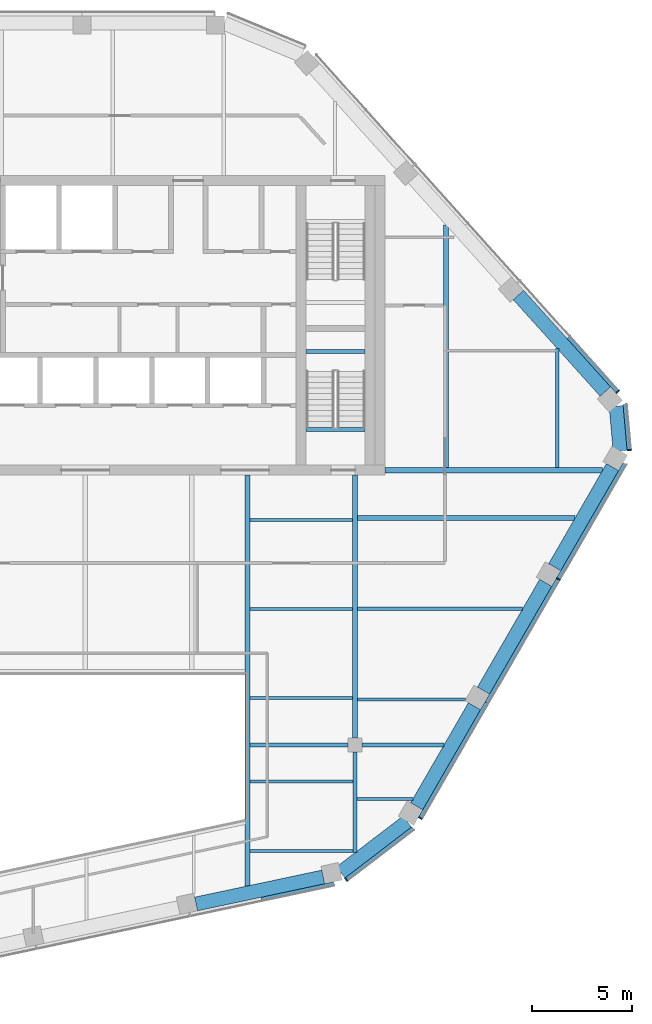
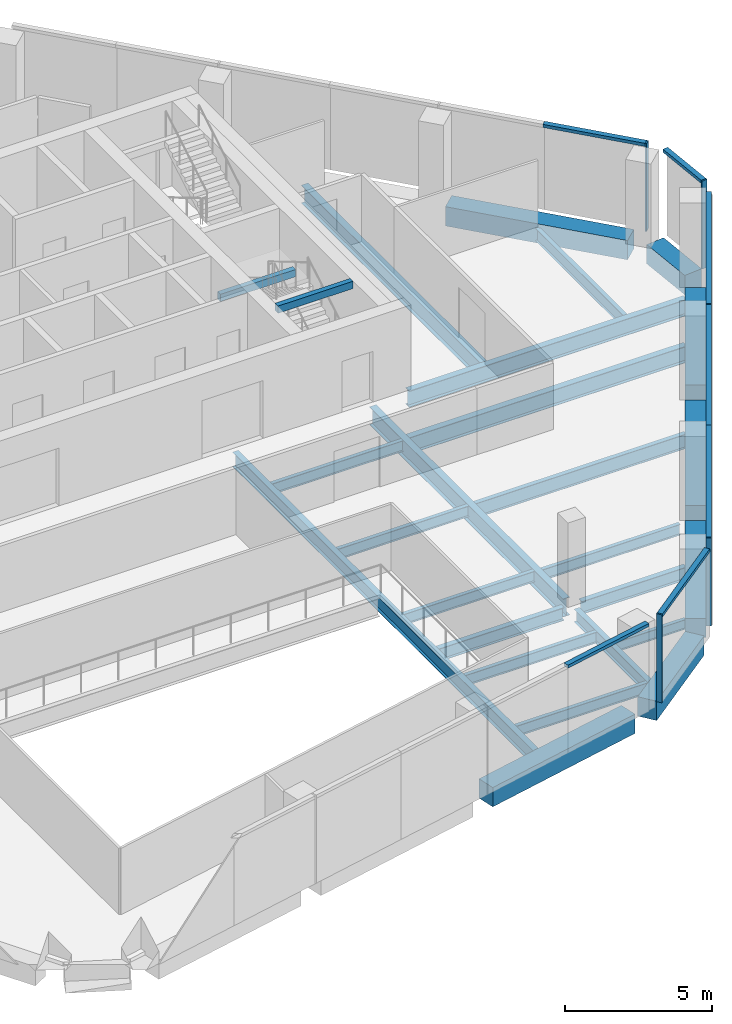
# One storey, part 4 of 15: 26 beams, 12 members, 5 elements without a shape of their own.
"""IFC4 building model written with IfcOpenShell, lengths in metres."""

import ifcopenshell
import ifcopenshell.guid

model = None  # the IFC model being written
_history = None  # IfcOwnerHistory: only IFC2X3 demands one
_inside = {}  # id of a spatial element -> (the spatial element, [elements in it])
_under = {}  # id of a project, library or spatial element -> (it, [spatial elements below it])
_declared = {}  # id of a project -> (the project, [libraries it declares])
_typed = {}  # id of a type object -> (the type object, [elements of that type])
_made_of = {}  # id of a material, layer set ... -> (it, [elements and type objects made of it])


def new_model(schema):
    """Start an empty IFC model of exactly this schema.

    Asked for "IFC4X3", IfcOpenShell would pick the latest addendum, in which some entities
    have other attributes; the version numbers below select the first issue.
    IFC2X3 requires an IfcOwnerHistory on every rooted entity: one is made here for all.
    """
    global model, _history
    if schema == "IFC4X3":
        model = ifcopenshell.file(schema_version=(4, 3, 0, 0))
    else:
        model = ifcopenshell.file(schema=schema)
    _inside.clear()
    _under.clear()
    _declared.clear()
    _typed.clear()
    _made_of.clear()
    _history = None
    if model.schema == "IFC2X3":
        org = make("IfcOrganization", Name="unknown")
        user = make(
            "IfcPersonAndOrganization",
            ThePerson=make("IfcPerson", FamilyName="unknown"),
            TheOrganization=org,
        )
        app = make(
            "IfcApplication",
            ApplicationDeveloper=org,
            Version="unknown",
            ApplicationFullName="unknown",
            ApplicationIdentifier="unknown",
        )
        _history = make(
            "IfcOwnerHistory",
            OwningUser=user,
            OwningApplication=app,
            ChangeAction="ADDED",
            CreationDate=0,
        )
    return model


def make(cls, **values):
    """One entity of the class cls with the attributes given. An attribute that is None is left unset."""
    return model.create_entity(
        cls, **{name: value for name, value in values.items() if value is not None}
    )


def rooted(cls, **values):
    """An entity with a GlobalId (a new one), such as an element, a storey or a relation."""
    return make(cls, GlobalId=ifcopenshell.guid.new(), OwnerHistory=_history, **values)


def si_unit(unit_type, name, prefix=None):
    """IfcSIUnit, for example si_unit("LENGTHUNIT", "METRE", prefix="MILLI")."""
    return make("IfcSIUnit", UnitType=unit_type, Prefix=prefix, Name=name)


def assignment(units):
    """IfcUnitAssignment: the units of a project."""
    return None if units is None else make("IfcUnitAssignment", Units=units)


def point(xyz):
    """IfcCartesianPoint."""
    return None if xyz is None else make("IfcCartesianPoint", Coordinates=xyz)


def direction(xyz):
    """IfcDirection."""
    return None if xyz is None else make("IfcDirection", DirectionRatios=xyz)


def frame(location, z_axis=None, x_axis=None):
    """IfcAxis2Placement3D, a coordinate frame: its origin and axes. An axis left out is left unset."""
    return make(
        "IfcAxis2Placement3D",
        Location=point(location),
        Axis=direction(z_axis),
        RefDirection=direction(x_axis),
    )


def frame_2d(location, x_axis=None):
    """IfcAxis2Placement2D, a coordinate frame in the plane: its origin and x axis."""
    return make(
        "IfcAxis2Placement2D", Location=point(location), RefDirection=direction(x_axis)
    )


def origin():
    """The frame at (0, 0, 0) with its axes left unset."""
    return frame((0.0, 0.0, 0.0))


def origin_2d():
    """The frame at (0, 0) in the plane with its x axis left unset."""
    return frame_2d((0.0, 0.0))


def place(relative_to, where):
    """IfcLocalPlacement: puts the frame where relative to a parent placement (None: the world)."""
    return make(
        "IfcLocalPlacement", PlacementRelTo=relative_to, RelativePlacement=where
    )


def context(
    kind, dimensions, precision=None, world=None, true_north=None, identifier=None
):
    """IfcGeometricRepresentationContext, for example the 3D "Model" context."""
    return make(
        "IfcGeometricRepresentationContext",
        ContextIdentifier=identifier,
        ContextType=kind,
        CoordinateSpaceDimension=dimensions,
        Precision=precision,
        WorldCoordinateSystem=world,
        TrueNorth=true_north,
    )


def subcontext(parent, identifier, kind, view, scale=None):
    """IfcGeometricRepresentationSubContext, for example "Body" below "Model"."""
    return make(
        "IfcGeometricRepresentationSubContext",
        ContextIdentifier=identifier,
        ContextType=kind,
        ParentContext=parent,
        TargetScale=scale,
        TargetView=view,
    )


def project(units=None, contexts=None):
    """IfcProject with its units and contexts."""
    return rooted(
        "IfcProject",
        Name="project",
        RepresentationContexts=contexts,
        UnitsInContext=assignment(units),
    )


def spatial(cls, under=None, at=None, **own):
    """A site, building, storey or space (cls), placed at a placement, below another one or the project."""
    s = rooted(cls, ObjectPlacement=at, **own)
    if under is not None:
        _under.setdefault(under.id(), (under, []))[1].append(s)
    return s


def profile(cls, at=None, kind="AREA", **sizes):
    """A parametric profile (cls). Its sizes go by their IFC names, for example OverallWidth=200.0."""
    return make(cls, ProfileType=kind, Position=at, **sizes)


def rectangle(**sizes):
    """IfcRectangleProfileDef."""
    return profile("IfcRectangleProfileDef", **sizes)


def i_section(**sizes):
    """IfcIShapeProfileDef."""
    return profile("IfcIShapeProfileDef", **sizes)


def extrude(swept, where, along, depth):
    """IfcExtrudedAreaSolid: the profile swept, set in the frame where, extruded along a direction by depth."""
    return make(
        "IfcExtrudedAreaSolid",
        SweptArea=swept,
        Position=where,
        ExtrudedDirection=direction(along),
        Depth=depth,
    )


def shape(context_of_items, identifier, shape_type, items):
    """IfcShapeRepresentation: the items that make up one representation, for example the "Body"."""
    return make(
        "IfcShapeRepresentation",
        ContextOfItems=context_of_items,
        RepresentationIdentifier=identifier,
        RepresentationType=shape_type,
        Items=items,
    )


def material(Name=None, Category=None):
    """IfcMaterial."""
    return make("IfcMaterial", Name=Name, Category=Category)


def layer(
    of_material, thickness, ventilated=None, Name=None, Category=None, Priority=None
):
    """IfcMaterialLayer: one layer of a wall or slab, of a material (None: an air gap)."""
    return make(
        "IfcMaterialLayer",
        Material=of_material,
        LayerThickness=thickness,
        IsVentilated=ventilated,
        Name=Name,
        Category=Category,
        Priority=Priority,
    )


def layer_set(layers, Name=None):
    """IfcMaterialLayerSet."""
    return make("IfcMaterialLayerSet", MaterialLayers=layers, LayerSetName=Name)


def material_profile(
    of_material, cross_section, Name=None, Category=None, Priority=None
):
    """IfcMaterialProfile: a cross section and its material."""
    return make(
        "IfcMaterialProfile",
        Name=Name,
        Material=of_material,
        Profile=cross_section,
        Priority=Priority,
        Category=Category,
    )


def profile_set(profiles, Name=None, composite=None):
    """IfcMaterialProfileSet."""
    return make(
        "IfcMaterialProfileSet",
        Name=Name,
        MaterialProfiles=profiles,
        CompositeProfile=composite,
    )


def made_of(thing, what):
    """Note that an element or type object is made of a material, layer set ...; save() writes the relation."""
    if what is not None:
        _made_of.setdefault(what.id(), (what, []))[1].append(thing)
    return thing


def type_object(cls, material=None, **own):
    """A type object (cls), such as IfcWallType, which elements share."""
    return made_of(rooted(cls, **own), material)


def element(
    cls,
    number,
    at=None,
    inside=None,
    cuts=None,
    type_object=None,
    material=None,
    context=None,
    identifier="Body",
    shape_type=None,
    held_by="IfcProductDefinitionShape",
    body=None,
    shapes=None,
    **own,
):
    """One element of the class cls, such as IfcWall. Its Tag is "e" and its number.

    at: its placement. inside: the storey or other place that contains it. cuts: it is an
    opening in that element (IfcRelVoidsElement). A single representation is given by context,
    identifier, shape_type and body (its items); several are given by shapes. held_by: the class
    of the entity that holds the representations. save() writes the other relations.
    """
    e = rooted(cls, Tag="e%d" % number, ObjectPlacement=at, **own)
    if body is not None:
        shapes = [shape(context, identifier, shape_type, body)]
    if shapes is not None:
        e.Representation = make(held_by, Representations=shapes)
    if inside is not None:
        _inside.setdefault(inside.id(), (inside, []))[1].append(e)
    if cuts is not None:
        rooted(
            "IfcRelVoidsElement", RelatingBuildingElement=cuts, RelatedOpeningElement=e
        )
    if type_object is not None:
        _typed.setdefault(type_object.id(), (type_object, []))[1].append(e)
    return made_of(e, material)


def aggregate(whole, parts):
    """IfcRelAggregates: a whole, such as a stair, and the parts it consists of."""
    return rooted("IfcRelAggregates", RelatingObject=whole, RelatedObjects=parts)


def save(model, path):
    """Write the relations noted so far, then the file.

    IfcRelAggregates (storeys below a building ...), IfcRelContainedInSpatialStructure (elements
    in a storey), IfcRelDefinesByType, IfcRelAssociatesMaterial and IfcRelDeclares: one each for
    every whole, place, type object, material and project.
    """
    for whole, parts in _under.values():
        aggregate(whole, parts)
    for where, things in _inside.values():
        rooted(
            "IfcRelContainedInSpatialStructure",
            RelatedElements=things,
            RelatingStructure=where,
        )
    for kind, things in _typed.values():
        rooted("IfcRelDefinesByType", RelatedObjects=things, RelatingType=kind)
    for what, things in _made_of.values():
        rooted("IfcRelAssociatesMaterial", RelatedObjects=things, RelatingMaterial=what)
    for by, libraries in _declared.values():
        rooted("IfcRelDeclares", RelatingContext=by, RelatedDefinitions=libraries)
    model.write(path)


model = new_model("IFC4")

# Units and contexts
model_context = context("Model", 3, precision=1e-05, world=origin(), true_north=direction((0.0, 1.0)))
body_context = subcontext(model_context, "Body", "Model", "MODEL_VIEW")
ifc_project = project(units=[si_unit("LENGTHUNIT", "METRE"), si_unit("AREAUNIT", "SQUARE_METRE"), si_unit("VOLUMEUNIT", "CUBIC_METRE"), si_unit("PLANEANGLEUNIT", "RADIAN"), si_unit("MASSUNIT", "GRAM", prefix="KILO")], contexts=[model_context])

# Site, building, storey
site_placement = place(None, origin())
site = spatial("IfcSite", under=ifc_project, at=site_placement, CompositionType="ELEMENT")
building_placement = place(site_placement, origin())
building = spatial("IfcBuilding", under=site, at=building_placement, Name="Isthmus Gate Tower", CompositionType="ELEMENT")
storey_placement = place(building_placement, frame((0.0, 0.0, 293.800048828125)))
storey = spatial("IfcBuildingStorey", under=building, at=storey_placement, Name="L75", CompositionType="ELEMENT", Elevation=293.800048828125)

# Curtain wall, member
ifc_material_1 = material(Name="Aluminium, pale champagne anodised", Category="aluminium")
ifc_layer = layer(ifc_material_1, 0.199951171875)
ifc_layer_set = layer_set([ifc_layer], Name="CW-1 UNITISED CURTAIN WALL 200 DEEP")
curtain_wall_type = type_object("IfcCurtainWallType", Name="CW-1 UNITISED CURTAIN WALL 200 DEEP", PredefinedType="NOTDEFINED", material=ifc_layer_set)
curtain_wall_1_placement = place(storey_placement, origin())
curtain_wall_1 = element("IfcCurtainWall", 1, at=curtain_wall_1_placement, inside=storey, type_object=curtain_wall_type, Name="CW-1 S-SE L75", PredefinedType="NOTDEFINED")
ifc_material_2 = material(Name="Aluminium, pale champagne anodised", Category="aluminium")
ifc_material_profile_1 = material_profile(ifc_material_2, rectangle(XDim=0.06005859375, YDim=0.199951171875, at=origin_2d()), Name="60x200")
ifc_profile_set_1 = profile_set([ifc_material_profile_1], Name="Aluminium, pale champagne anodised")
member_type_1 = type_object("IfcMemberType", Name="CW-1 MULLION 60 X 200", PredefinedType="MULLION", material=ifc_profile_set_1)
member_1_placement = place(storey_placement, frame((13.055908203125, -20.241455078125, 0.0), z_axis=(0.0, 0.0, 1.0), x_axis=(0.794188594387, 0.607671355706, 0.0)))
member_1 = element("IfcMember", 2, at=member_1_placement, type_object=member_type_1, Name="CW-1 mullion", PredefinedType="MULLION", context=body_context, shape_type="SweptSolid", body=[
    extrude(rectangle(XDim=0.06005859375, YDim=0.199951171875, at=origin_2d()), origin(), (0.0, 0.0, 1.0), 3.64990234375),
])

# Curtain wall, members
curtain_wall_2_placement = place(storey_placement, origin())
curtain_wall_2 = element("IfcCurtainWall", 3, at=curtain_wall_2_placement, inside=storey, type_object=curtain_wall_type, Name="CW-1 SE L75", PredefinedType="NOTDEFINED")
member_2_placement = place(storey_placement, frame((16.765380859375, -17.161376953125, 0.0), z_axis=(0.0, 0.0, 1.0), x_axis=(0.5, 0.866025403784, 0.0)))
member_2 = element("IfcMember", 4, at=member_2_placement, type_object=member_type_1, Name="CW-1 mullion", PredefinedType="MULLION", context=body_context, shape_type="SweptSolid", body=[
    extrude(rectangle(XDim=0.06005859375, YDim=0.199951171875, at=origin_2d()), origin(), (0.0, 0.0, 1.0), 3.64990234375),
])
member_3_placement = place(storey_placement, frame((23.675048828125, -5.193603515625, 0.0), z_axis=(0.0, 0.0, 1.0), x_axis=(0.5, 0.866025403784, 0.0)))
member_3 = element("IfcMember", 5, at=member_3_placement, type_object=member_type_1, Name="CW-1 mullion", PredefinedType="MULLION", context=body_context, shape_type="SweptSolid", body=[
    extrude(rectangle(XDim=0.06005859375, YDim=0.199951171875, at=origin_2d()), origin(), (0.0, 0.0, 1.0), 3.64990234375),
])

# Curtain wall, member
curtain_wall_3_placement = place(storey_placement, origin())
curtain_wall_3 = element("IfcCurtainWall", 6, at=curtain_wall_3_placement, inside=storey, type_object=curtain_wall_type, Name="CW-1 SE-NE L75", PredefinedType="NOTDEFINED")
member_4_placement = place(storey_placement, frame((27.21875, 1.258056640625, 0.0), z_axis=(0.0, 0.0, 1.0), x_axis=(-0.089396669717, 0.995996102123, 0.0)))
member_4 = element("IfcMember", 7, at=member_4_placement, type_object=member_type_1, Name="CW-1 mullion", PredefinedType="MULLION", context=body_context, shape_type="SweptSolid", body=[
    extrude(rectangle(XDim=0.06005859375, YDim=0.199951171875, at=origin_2d()), origin(), (0.0, 0.0, 1.0), 3.64990234375),
])

curtain_wall_4_placement = place(storey_placement, origin())
curtain_wall_4 = element("IfcCurtainWall", 8, at=curtain_wall_4_placement, inside=storey, type_object=curtain_wall_type, Name="CW-1 NE L75", PredefinedType="NOTDEFINED")
member_5_placement = place(storey_placement, frame((26.6474609375, 4.17626953125, 0.0), z_axis=(0.0, 0.0, 1.0), x_axis=(-0.669130606359, 0.743144825477, 0.0)))
member_5 = element("IfcMember", 9, at=member_5_placement, type_object=member_type_1, Name="CW-1 mullion", PredefinedType="MULLION", context=body_context, shape_type="SweptSolid", body=[
    extrude(rectangle(XDim=0.06005859375, YDim=0.199951171875, at=origin_2d()), origin(), (0.0, 0.0, 1.0), 3.64990234375),
])

curtain_wall_5_placement = place(storey_placement, origin())
curtain_wall_5 = element("IfcCurtainWall", 10, at=curtain_wall_5_placement, inside=storey, type_object=curtain_wall_type, Name="CW-1 S L75", PredefinedType="NOTDEFINED")
ifc_material_3 = material(Name="Aluminium, pale champagne anodised", Category="aluminium")
ifc_material_profile_2 = material_profile(ifc_material_3, rectangle(XDim=0.199951171875, YDim=0.1298828125, at=origin_2d()), Name="200x130")
ifc_profile_set_2 = profile_set([ifc_material_profile_2], Name="Aluminium, pale champagne anodised")
member_type_2 = type_object("IfcMemberType", Name="CW-1 TRANSOM 200 X 130", PredefinedType="USERDEFINED", material=ifc_profile_set_2)
member_6_placement = place(storey_placement, frame((8.816162109375, -21.228271484375, 3.5849609375), z_axis=(0.978146451283, 0.207917098487, 0.0), x_axis=(-0.207917098487, 0.978146451283, 0.0)))
member_6 = element("IfcMember", 11, at=member_6_placement, type_object=member_type_2, Name="CW-1 transom", ObjectType="TRANSOM", PredefinedType="USERDEFINED", context=body_context, shape_type="SweptSolid", body=[
    extrude(rectangle(XDim=0.199951171875, YDim=0.1298828125, at=origin_2d()), origin(), (0.0, 0.0, 1.0), 3.70361328125),
])
aggregate(curtain_wall_5, [member_6])

# Member
member_7_placement = place(storey_placement, frame((13.07958984375, -20.22314453125, 3.5849609375), z_axis=(0.794225234414, 0.607623466482, 0.0), x_axis=(-0.607623466482, 0.794225234414, 0.0)))
member_7 = element("IfcMember", 12, at=member_7_placement, type_object=member_type_2, Name="CW-1 transom", ObjectType="TRANSOM", PredefinedType="USERDEFINED", context=body_context, shape_type="SweptSolid", body=[
    extrude(rectangle(XDim=0.199951171875, YDim=0.1298828125, at=origin_2d()), origin(), (0.0, 0.0, 1.0), 4.181396484375),
])

aggregate(curtain_wall_1, [member_1, member_7])

member_8_placement = place(storey_placement, frame((16.780517578125, -17.135498046875, 3.5849609375), z_axis=(0.49999574405, 0.866027860944, 0.0), x_axis=(-0.866027860944, 0.49999574405, 0.0)))
member_8 = element("IfcMember", 13, at=member_8_placement, type_object=member_type_2, Name="CW-1 transom", ObjectType="TRANSOM", PredefinedType="USERDEFINED", context=body_context, shape_type="SweptSolid", body=[
    extrude(rectangle(XDim=0.199951171875, YDim=0.1298828125, at=origin_2d()), origin(), (0.0, 0.0, 1.0), 6.62451171875),
])

member_9_placement = place(storey_placement, frame((20.0927734375, -11.3984375, 3.5849609375), z_axis=(0.499985098601, 0.86603400694, 0.0), x_axis=(-0.86603400694, 0.499985098601, 0.0)))
member_9 = element("IfcMember", 14, at=member_9_placement, type_object=member_type_2, Name="CW-1 transom", ObjectType="TRANSOM", PredefinedType="USERDEFINED", context=body_context, shape_type="SweptSolid", body=[
    extrude(rectangle(XDim=0.199951171875, YDim=0.1298828125, at=origin_2d()), origin(), (0.0, 0.0, 1.0), 7.134521484375),
])

member_10_placement = place(storey_placement, frame((23.68994140625, -5.167724609375, 3.5849609375), z_axis=(0.49999574405, 0.866027860944, 0.0), x_axis=(-0.866027860944, 0.49999574405, 0.0)))
member_10 = element("IfcMember", 15, at=member_10_placement, type_object=member_type_2, Name="CW-1 transom", ObjectType="TRANSOM", PredefinedType="USERDEFINED", context=body_context, shape_type="SweptSolid", body=[
    extrude(rectangle(XDim=0.199951171875, YDim=0.1298828125, at=origin_2d()), origin(), (0.0, 0.0, 1.0), 6.62451171875),
])

aggregate(curtain_wall_2, [member_2, member_8, member_9, member_3, member_10])

member_11_placement = place(storey_placement, frame((27.216064453125, 1.287841796875, 3.5849609375), z_axis=(-0.089395362867, 0.995996219419, 0.0), x_axis=(-0.995996219419, -0.089395362867, 0.0)))
member_11 = element("IfcMember", 16, at=member_11_placement, type_object=member_type_2, Name="CW-1 transom", ObjectType="TRANSOM", PredefinedType="USERDEFINED", context=body_context, shape_type="SweptSolid", body=[
    extrude(rectangle(XDim=0.199951171875, YDim=0.1298828125, at=origin_2d()), origin(), (0.0, 0.0, 1.0), 2.258544921875),
])

aggregate(curtain_wall_3, [member_4, member_11])

member_12_placement = place(storey_placement, frame((26.62744140625, 4.198486328125, 3.5849609375), z_axis=(-0.669149818044, 0.743127526749, 0.0), x_axis=(-0.743127526749, -0.669149818044, 0.0)))
member_12 = element("IfcMember", 17, at=member_12_placement, type_object=member_type_2, Name="CW-1 transom", ObjectType="TRANSOM", PredefinedType="USERDEFINED", context=body_context, shape_type="SweptSolid", body=[
    extrude(rectangle(XDim=0.199951171875, YDim=0.1298828125, at=origin_2d()), origin(), (0.0, 0.0, 1.0), 3.643310546875),
])

aggregate(curtain_wall_4, [member_5, member_12])

# Beams
ifc_material_4 = material(Name="Concrete f'c 50 MPa", Category="concrete")
ifc_material_profile_3 = material_profile(ifc_material_4, rectangle(XDim=0.699951171875, YDim=0.800048828125, at=origin_2d()), Name="RC 700X800")
ifc_profile_set_3 = profile_set([ifc_material_profile_3], Name="Concrete f'c 50 MPa")
beam_type_1 = type_object("IfcBeamType", Name="RC SPANDREL 700 X 800", PredefinedType="SPANDREL", material=ifc_profile_set_3)
beam_1_placement = place(storey_placement, frame((21.67822265625, 9.022705078125, -0.400146484375), z_axis=(0.669122265754, -0.743152335307, 0.0), x_axis=(0.743152335307, 0.669122265754, 0.0)))
element("IfcBeam", 18, at=beam_1_placement, inside=storey, type_object=beam_type_1, Name="str-spandrel-L75-03", PredefinedType="SPANDREL", context=body_context, shape_type="SweptSolid", body=[
    extrude(rectangle(XDim=0.699951171875, YDim=0.800048828125, at=origin_2d()), origin(), (0.0, 0.0, 1.0), 6.506591796875),
])
beam_2_placement = place(storey_placement, frame((26.5693359375, 3.459716796875, -0.400146484375), z_axis=(0.089359478208, -0.995999439585, 0.0), x_axis=(0.995999439585, 0.089359478208, 0.0)))
element("IfcBeam", 19, at=beam_2_placement, inside=storey, type_object=beam_type_1, Name="str-spandrel-L75-04", PredefinedType="SPANDREL", context=body_context, shape_type="SweptSolid", body=[
    extrude(rectangle(XDim=0.699951171875, YDim=0.800048828125, at=origin_2d()), origin(), (0.0, 0.0, 1.0), 2.245849609375),
])
beam_3_placement = place(storey_placement, frame((26.387451171875, 0.404541015625, -0.400146484375), z_axis=(-0.499979418648, -0.866037286108, 0.0), x_axis=(0.866037286108, -0.499979418648, 0.0)))
element("IfcBeam", 20, at=beam_3_placement, inside=storey, type_object=beam_type_1, Name="str-spandrel-L75-05", PredefinedType="SPANDREL", context=body_context, shape_type="SweptSolid", body=[
    extrude(rectangle(XDim=0.699951171875, YDim=0.800048828125, at=origin_2d()), origin(), (0.0, 0.0, 1.0), 5.784423828125),
])
beam_4_placement = place(storey_placement, frame((23.045166015625, -5.384521484375, -0.400146484375), z_axis=(-0.499997027648, -0.866027119866, 0.0), x_axis=(0.866027119866, -0.499997027648, 0.0)))
element("IfcBeam", 21, at=beam_4_placement, inside=storey, type_object=beam_type_1, Name="str-spandrel-L75-06", PredefinedType="SPANDREL", context=body_context, shape_type="SweptSolid", body=[
    extrude(rectangle(XDim=0.699951171875, YDim=0.800048828125, at=origin_2d()), origin(), (0.0, 0.0, 1.0), 6.234375),
])
beam_5_placement = place(storey_placement, frame((19.47802734375, -11.56298828125, -0.400146484375), z_axis=(-0.499992798144, -0.866029561738, 0.0), x_axis=(0.866029561738, -0.499992798144, 0.0)))
element("IfcBeam", 22, at=beam_5_placement, inside=storey, type_object=beam_type_1, Name="str-spandrel-L75-07", PredefinedType="SPANDREL", context=body_context, shape_type="SweptSolid", body=[
    extrude(rectangle(XDim=0.699951171875, YDim=0.800048828125, at=origin_2d()), origin(), (0.0, 0.0, 1.0), 5.78466796875),
])
beam_6_placement = place(storey_placement, frame((16.110595703125, -17.337646484375, -0.400146484375), z_axis=(-0.794204252251, -0.607650891307, 0.0), x_axis=(0.607650891307, -0.794204252251, 0.0)))
element("IfcBeam", 23, at=beam_6_placement, inside=storey, type_object=beam_type_1, Name="str-spandrel-L75-08", PredefinedType="SPANDREL", context=body_context, shape_type="SweptSolid", body=[
    extrude(rectangle(XDim=0.699951171875, YDim=0.800048828125, at=origin_2d()), origin(), (0.0, 0.0, 1.0), 4.197021484375),
])
beam_7_placement = place(storey_placement, frame((11.90478515625, -20.11181640625, -0.400146484375), z_axis=(-0.978148646173, -0.207906772352, 0.0), x_axis=(0.207906772352, -0.978148646173, 0.0)))
element("IfcBeam", 24, at=beam_7_placement, inside=storey, type_object=beam_type_1, Name="str-spandrel-L75-09", PredefinedType="SPANDREL", context=body_context, shape_type="SweptSolid", body=[
    extrude(rectangle(XDim=0.699951171875, YDim=0.800048828125, at=origin_2d()), origin(), (0.0, 0.0, 1.0), 6.506591796875),
])
ifc_material_5 = material(Name="Concrete f'c 40 MPa", Category="concrete")
ifc_material_profile_4 = material_profile(ifc_material_5, rectangle(XDim=0.199951171875, YDim=0.300048828125, at=origin_2d()), Name="STAIR LANDING BEAM RC 200 X 300")
ifc_profile_set_4 = profile_set([ifc_material_profile_4], Name="Concrete f'c 40 MPa")
beam_type_2 = type_object("IfcBeamType", Name="STAIR LANDING BEAM RC 200 X 300", PredefinedType="BEAM", material=ifc_profile_set_4)
for number, where, z_axis, x_axis, name in (
    (25, (11.050048828125, 6.199951171875, 1.474853515625), (1.0, 0.0, 0.0), (0.0, 1.0, 0.0), "L75 ST8 landing beam 1"),
    (26, (11.050048828125, 2.2998046875, 3.349853515625), (1.0, 0.0, 0.0), (0.0, 1.0, 0.0), "L75 ST8 floor-edge seat beam"),
):
    element("IfcBeam", number, at=place(storey_placement, frame(where, z_axis=z_axis, x_axis=x_axis)), inside=storey, type_object=beam_type_2, Name=name, PredefinedType="BEAM", context=body_context, shape_type="SweptSolid", body=[
        extrude(rectangle(XDim=0.199951171875, YDim=0.300048828125, at=origin_2d()), origin(), (0.0, 0.0, 1.0), 2.949951171875),
    ])
ifc_material_6 = material(Name="Structural steel ASTM A992 Gr 50", Category="steel")
ifc_material_profile_5 = material_profile(ifc_material_6, i_section(OverallWidth=0.1396484375, OverallDepth=0.4033203125, WebThickness=0.00634765625, FlangeThickness=0.010986328125, at=origin_2d()), Name="W16X31")
ifc_profile_set_5 = profile_set([ifc_material_profile_5], Name="Structural steel ASTM A992 Gr 50")
beam_type_3 = type_object("IfcBeamType", Name="STEEL FLOOR BEAM W16X31", PredefinedType="JOIST", material=ifc_profile_set_5)
beam_8_placement = place(storey_placement, frame((13.604736328125, -16.20947265625, -0.3515625), z_axis=(1.0, 0.0, 0.0), x_axis=(0.0, 1.0, 0.0)))
element("IfcBeam", 27, at=beam_8_placement, inside=storey, type_object=beam_type_3, Name="str-beam-L75-11-00", PredefinedType="JOIST", context=body_context, shape_type="SweptSolid", body=[
    extrude(i_section(OverallWidth=0.1396484375, OverallDepth=0.4033203125, WebThickness=0.00634765625, FlangeThickness=0.010986328125, at=origin_2d()), origin(), (0.0, 0.0, 1.0), 2.78662109375),
])
ifc_material_7 = material(Name="Structural steel ASTM A992 Gr 50", Category="steel")
ifc_material_profile_6 = material_profile(ifc_material_7, i_section(OverallWidth=0.15234375, OverallDepth=0.45068359375, WebThickness=0.0078125, FlangeThickness=0.010986328125, at=origin_2d()), Name="W18X35")
ifc_profile_set_6 = profile_set([ifc_material_profile_6], Name="Structural steel ASTM A992 Gr 50")
beam_type_4 = type_object("IfcBeamType", Name="STEEL FLOOR BEAM W18X35", PredefinedType="JOIST", material=ifc_profile_set_6)
for number, where, z_axis, x_axis, name in (
    (28, (8.228515625, -18.802734375, -0.37548828125), (1.0, 0.0, 0.0), (0.0, 1.0, 0.0), "str-beam-L75-09-00"),
    (29, (8.228515625, -15.33740234375, -0.37548828125), (1.0, 0.0, 0.0), (0.0, 1.0, 0.0), "str-beam-L75-09-01"),
):
    element("IfcBeam", number, at=place(storey_placement, frame(where, z_axis=z_axis, x_axis=x_axis)), inside=storey, type_object=beam_type_4, Name=name, PredefinedType="JOIST", context=body_context, shape_type="SweptSolid", body=[
        extrude(i_section(OverallWidth=0.15234375, OverallDepth=0.45068359375, WebThickness=0.0078125, FlangeThickness=0.010986328125, at=origin_2d()), origin(), (0.0, 0.0, 1.0), 5.166748046875),
    ])
for number, where, z_axis, x_axis, name in (
    (30, (8.228515625, -11.16259765625, -0.37548828125), (1.0, 0.0, 0.0), (0.0, 1.0, 0.0), "str-beam-L75-10-00"),
    (31, (8.228515625, -6.697509765625, -0.37548828125), (1.0, 0.0, 0.0), (0.0, 1.0, 0.0), "str-beam-L75-10-01"),
    (32, (8.228515625, -2.232421875, -0.37548828125), (1.0, 0.0, 0.0), (0.0, 1.0, 0.0), "str-beam-L75-10-02"),
):
    element("IfcBeam", number, at=place(storey_placement, frame(where, z_axis=z_axis, x_axis=x_axis)), inside=storey, type_object=beam_type_4, Name=name, PredefinedType="JOIST", context=body_context, shape_type="SweptSolid", body=[
        extrude(i_section(OverallWidth=0.15234375, OverallDepth=0.45068359375, WebThickness=0.0078125, FlangeThickness=0.010986328125, at=origin_2d()), origin(), (0.0, 0.0, 1.0), 5.1396484375),
    ])
beam_9_placement = place(storey_placement, frame((13.6318359375, -11.2294921875, -0.37548828125), z_axis=(1.0, 0.0, 0.0), x_axis=(0.0, 1.0, 0.0)))
element("IfcBeam", 33, at=beam_9_placement, inside=storey, type_object=beam_type_4, Name="str-beam-L75-12-00", PredefinedType="JOIST", context=body_context, shape_type="SweptSolid", body=[
    extrude(i_section(OverallWidth=0.15234375, OverallDepth=0.45068359375, WebThickness=0.0078125, FlangeThickness=0.010986328125, at=origin_2d()), origin(), (0.0, 0.0, 1.0), 5.40380859375),
])
ifc_material_8 = material(Name="Structural steel ASTM A992 Gr 50", Category="steel")
ifc_material_profile_7 = material_profile(ifc_material_8, i_section(OverallWidth=0.1650390625, OverallDepth=0.52392578125, WebThickness=0.009521484375, FlangeThickness=0.010986328125, at=origin_2d()), Name="W21X44")
ifc_profile_set_7 = profile_set([ifc_material_profile_7], Name="Structural steel ASTM A992 Gr 50")
beam_type_5 = type_object("IfcBeamType", Name="STEEL FLOOR BEAM W21X44", PredefinedType="JOIST", material=ifc_profile_set_7)
beam_10_placement = place(storey_placement, frame((23.61865234375, 0.376953125, -0.412109375), z_axis=(0.0, 1.0, 0.0), x_axis=(-1.0, 0.0, 0.0)))
element("IfcBeam", 34, at=beam_10_placement, inside=storey, type_object=beam_type_5, Name="str-beam-L75-07-07", PredefinedType="JOIST", context=body_context, shape_type="SweptSolid", body=[
    extrude(i_section(OverallWidth=0.1650390625, OverallDepth=0.52392578125, WebThickness=0.009521484375, FlangeThickness=0.010986328125, at=origin_2d()), origin(), (0.0, 0.0, 1.0), 5.967529296875),
])
ifc_material_9 = material(Name="Structural steel ASTM A992 Gr 50", Category="steel")
ifc_material_profile_8 = material_profile(ifc_material_9, i_section(OverallWidth=0.177734375, OverallDepth=0.60009765625, WebThickness=0.009521484375, FlangeThickness=0.0126953125, at=origin_2d()), Name="W24X55")
ifc_profile_set_8 = profile_set([ifc_material_profile_8], Name="Structural steel ASTM A992 Gr 50")
beam_type_6 = type_object("IfcBeamType", Name="STEEL FLOOR BEAM W24X55", PredefinedType="JOIST", material=ifc_profile_set_8)
beam_11_placement = place(storey_placement, frame((13.6318359375, -6.6884765625, -0.4501953125), z_axis=(1.0, 0.0, 0.0), x_axis=(0.0, 1.0, 0.0)))
element("IfcBeam", 35, at=beam_11_placement, inside=storey, type_object=beam_type_6, Name="str-beam-L75-12-01", PredefinedType="JOIST", context=body_context, shape_type="SweptSolid", body=[
    extrude(i_section(OverallWidth=0.177734375, OverallDepth=0.60009765625, WebThickness=0.009521484375, FlangeThickness=0.0126953125, at=origin_2d()), origin(), (0.0, 0.0, 1.0), 8.25634765625),
])
ifc_material_10 = material(Name="Structural steel ASTM A992 Gr 50", Category="steel")
ifc_material_profile_9 = material_profile(ifc_material_10, i_section(OverallWidth=0.25390625, OverallDepth=0.679443359375, WebThickness=0.010986328125, FlangeThickness=0.015869140625, at=origin_2d()), Name="W27X84")
ifc_profile_set_9 = profile_set([ifc_material_profile_9], Name="Structural steel ASTM A992 Gr 50")
beam_type_7 = type_object("IfcBeamType", Name="STEEL FLOOR BEAM W27X84", PredefinedType="JOIST", material=ifc_profile_set_9)
beam_12_placement = place(storey_placement, frame((13.6318359375, -2.1474609375, -0.48974609375), z_axis=(1.0, 0.0, 0.0), x_axis=(0.0, 1.0, 0.0)))
element("IfcBeam", 36, at=beam_12_placement, inside=storey, type_object=beam_type_7, Name="str-beam-L75-12-02", PredefinedType="JOIST", context=body_context, shape_type="SweptSolid", body=[
    extrude(i_section(OverallWidth=0.25390625, OverallDepth=0.679443359375, WebThickness=0.010986328125, FlangeThickness=0.015869140625, at=origin_2d()), origin(), (0.0, 0.0, 1.0), 10.878173828125),
])
ifc_material_11 = material(Name="Structural steel ASTM A992 Gr 50", Category="steel")
ifc_material_profile_10 = material_profile(ifc_material_11, i_section(OverallWidth=0.263427734375, OverallDepth=0.749267578125, WebThickness=0.0126953125, FlangeThickness=0.015869140625, at=origin_2d()), Name="W30X90")
ifc_profile_set_10 = profile_set([ifc_material_profile_10], Name="Structural steel ASTM A992 Gr 50")
beam_type_8 = type_object("IfcBeamType", Name="STEEL FLOOR BEAM W30X90", PredefinedType="JOIST", material=ifc_profile_set_10)
beam_13_placement = place(storey_placement, frame((18.05712890625, 0.376953125, -0.524658203125), z_axis=(0.0, 1.0, 0.0), x_axis=(-1.0, 0.0, 0.0)))
element("IfcBeam", 37, at=beam_13_placement, inside=storey, type_object=beam_type_8, Name="str-beam-L75-07-06", PredefinedType="JOIST", context=body_context, shape_type="SweptSolid", body=[
    extrude(i_section(OverallWidth=0.263427734375, OverallDepth=0.749267578125, WebThickness=0.0126953125, FlangeThickness=0.015869140625, at=origin_2d()), origin(), (0.0, 0.0, 1.0), 12.144287109375),
])
ifc_material_12 = material(Name="Structural steel ASTM A992 Gr 50", Category="steel")
ifc_material_profile_11 = material_profile(ifc_material_12, i_section(OverallWidth=0.20947265625, OverallDepth=0.533447265625, WebThickness=0.009521484375, FlangeThickness=0.015869140625, at=origin_2d()), Name="W21X62")
ifc_profile_set_11 = profile_set([ifc_material_profile_11], Name="Structural steel ASTM A992 Gr 50")
beam_type_9 = type_object("IfcBeamType", Name="STEEL GIRDER W21X62", PredefinedType="BEAM", material=ifc_profile_set_11)
beam_14_placement = place(storey_placement, frame((8.228515625, -13.5, -0.416748046875), z_axis=(1.0, 0.0, 0.0), x_axis=(0.0, 1.0, 0.0)))
element("IfcBeam", 38, at=beam_14_placement, inside=storey, type_object=beam_type_9, Name="str-girder-L75-03", PredefinedType="BEAM", context=body_context, shape_type="SweptSolid", body=[
    extrude(i_section(OverallWidth=0.20947265625, OverallDepth=0.533447265625, WebThickness=0.009521484375, FlangeThickness=0.015869140625, at=origin_2d()), origin(), (0.0, 0.0, 1.0), 4.92138671875),
])
beam_15_placement = place(storey_placement, frame((13.85009765625, -13.5, -0.416748046875), z_axis=(1.0, 0.0, 0.0), x_axis=(0.0, 1.0, 0.0)))
element("IfcBeam", 39, at=beam_15_placement, inside=storey, type_object=beam_type_9, Name="str-girder-L75-04", PredefinedType="BEAM", context=body_context, shape_type="SweptSolid", body=[
    extrude(i_section(OverallWidth=0.20947265625, OverallDepth=0.533447265625, WebThickness=0.009521484375, FlangeThickness=0.015869140625, at=origin_2d()), origin(), (0.0, 0.0, 1.0), 4.10546875),
])
beam_16_placement = place(storey_placement, frame((13.5, -18.894287109375, -0.416748046875), z_axis=(0.0, 1.0, 0.0), x_axis=(-1.0, 0.0, 0.0)))
element("IfcBeam", 40, at=beam_16_placement, inside=storey, type_object=beam_type_9, Name="str-girder-L75-07", PredefinedType="BEAM", context=body_context, shape_type="SweptSolid", body=[
    extrude(i_section(OverallWidth=0.20947265625, OverallDepth=0.533447265625, WebThickness=0.009521484375, FlangeThickness=0.015869140625, at=origin_2d()), origin(), (0.0, 0.0, 1.0), 5.044189453125),
])
ifc_material_13 = material(Name="Structural steel ASTM A992 Gr 50", Category="steel")
ifc_material_profile_12 = material_profile(ifc_material_13, i_section(OverallWidth=0.25390625, OverallDepth=0.679443359375, WebThickness=0.010986328125, FlangeThickness=0.015869140625, at=origin_2d()), Name="W27X84")
ifc_profile_set_12 = profile_set([ifc_material_profile_12], Name="Structural steel ASTM A992 Gr 50")
beam_type_10 = type_object("IfcBeamType", Name="STEEL GIRDER W27X84", PredefinedType="BEAM", material=ifc_profile_set_12)
beam_17_placement = place(storey_placement, frame((15.0, 0.25, -0.48974609375), z_axis=(1.0, 0.0, 0.0), x_axis=(0.0, 1.0, 0.0)))
element("IfcBeam", 41, at=beam_17_placement, inside=storey, type_object=beam_type_10, Name="str-girder-L75-10", PredefinedType="BEAM", context=body_context, shape_type="SweptSolid", body=[
    extrude(i_section(OverallWidth=0.25390625, OverallDepth=0.679443359375, WebThickness=0.010986328125, FlangeThickness=0.015869140625, at=origin_2d()), origin(), (0.0, 0.0, 1.0), 10.89404296875),
])
ifc_material_14 = material(Name="Structural steel ASTM A992 Gr 50", Category="steel")
ifc_material_profile_13 = material_profile(ifc_material_14, i_section(OverallWidth=0.263427734375, OverallDepth=0.749267578125, WebThickness=0.0126953125, FlangeThickness=0.015869140625, at=origin_2d()), Name="W30X90")
ifc_profile_set_13 = profile_set([ifc_material_profile_13], Name="Structural steel ASTM A992 Gr 50")
beam_type_11 = type_object("IfcBeamType", Name="STEEL GIRDER W30X90", PredefinedType="BEAM", material=ifc_profile_set_13)
beam_18_placement = place(storey_placement, frame((13.5, -13.14990234375, -0.524658203125), z_axis=(0.0, 1.0, 0.0), x_axis=(-1.0, 0.0, 0.0)))
element("IfcBeam", 42, at=beam_18_placement, inside=storey, type_object=beam_type_11, Name="str-girder-L75-08", PredefinedType="BEAM", context=body_context, shape_type="SweptSolid", body=[
    extrude(i_section(OverallWidth=0.263427734375, OverallDepth=0.749267578125, WebThickness=0.0126953125, FlangeThickness=0.015869140625, at=origin_2d()), origin(), (0.0, 0.0, 1.0), 13.14990234375),
])
ifc_material_15 = material(Name="Structural steel ASTM A992 Gr 50", Category="steel")
ifc_material_profile_14 = material_profile(ifc_material_15, i_section(OverallWidth=0.228515625, OverallDepth=0.603271484375, WebThickness=0.010986328125, FlangeThickness=0.014404296875, at=origin_2d()), Name="W24X68")
ifc_profile_set_14 = profile_set([ifc_material_profile_14], Name="Structural steel ASTM A992 Gr 50")
beam_type_12 = type_object("IfcBeamType", Name="STEEL TRIMMER W24X68", PredefinedType="BEAM", material=ifc_profile_set_14)
beam_19_placement = place(storey_placement, frame((8.1142578125, -20.5595703125, -0.45166015625), z_axis=(0.0, 1.0, 0.0), x_axis=(-1.0, 0.0, 0.0)))
element("IfcBeam", 43, at=beam_19_placement, inside=storey, type_object=beam_type_12, Name="str-trimmer-L75-01", PredefinedType="BEAM", context=body_context, shape_type="SweptSolid", body=[
    extrude(i_section(OverallWidth=0.228515625, OverallDepth=0.603271484375, WebThickness=0.010986328125, FlangeThickness=0.014404296875, at=origin_2d()), origin(), (0.0, 0.0, 1.0), 20.5595703125),
])

save(model, "model.ifc")
